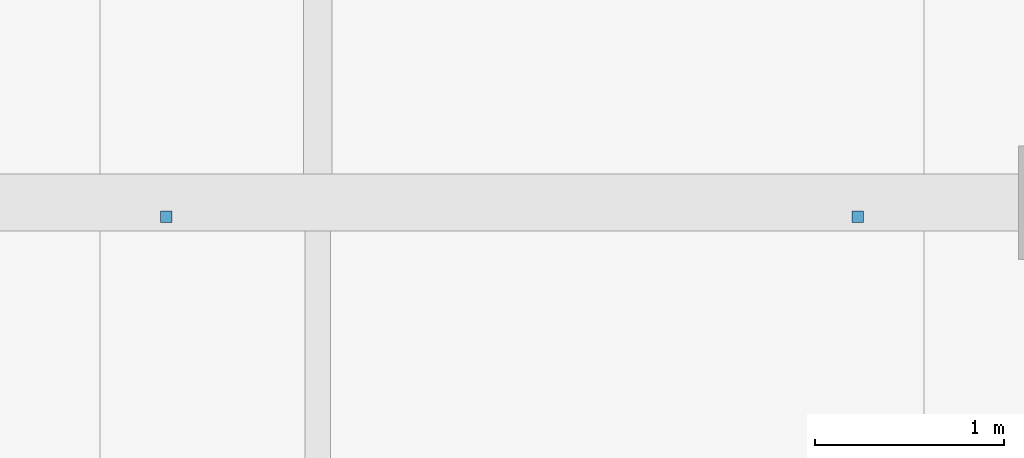
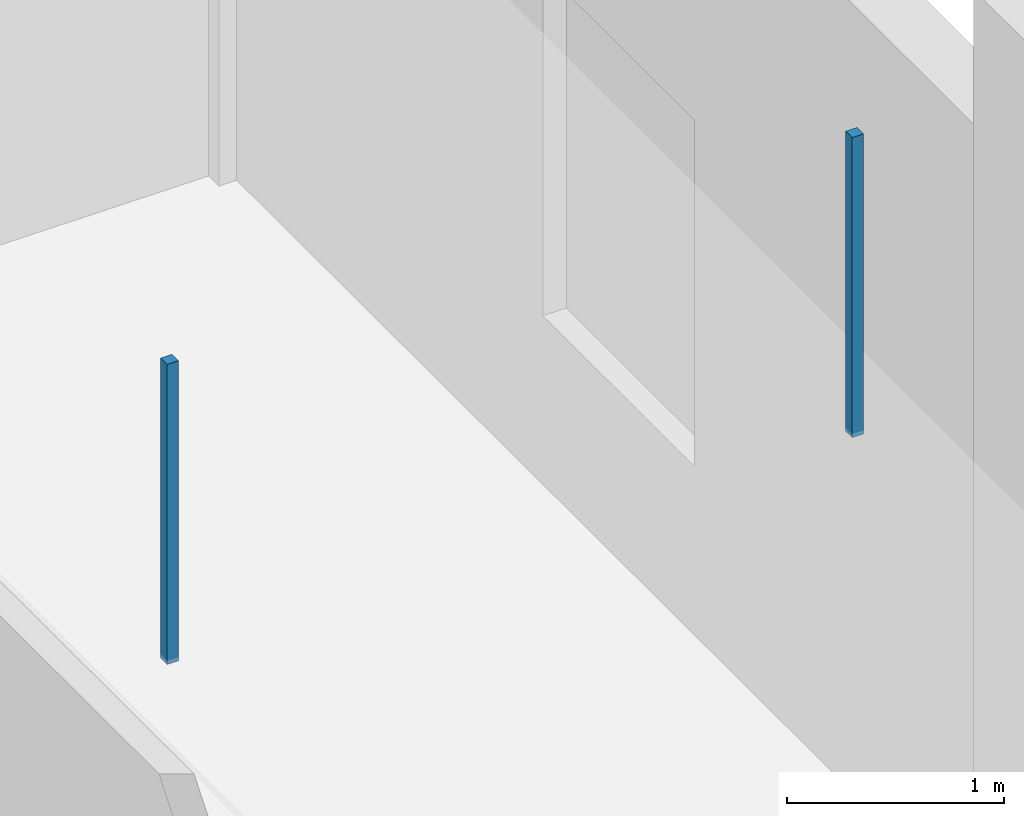
# One storey, part 90 of 126: 2 discrete accessories.
"""IFC4 building model written with IfcOpenShell, lengths in metres."""

from ifc_helpers import new_model, si_unit, direction, frame, origin, origin_2d, place, context, subcontext, project, spatial, rectangle, extrude, material, type_object, element, save


model = new_model("IFC4")

# Units and contexts
model_context = context("Model", 3, precision=1e-05, world=origin(), true_north=direction((0.0, 1.0)))
body_context = subcontext(model_context, "Body", "Model", "MODEL_VIEW")
ifc_project = project(units=[si_unit("LENGTHUNIT", "METRE"), si_unit("AREAUNIT", "SQUARE_METRE"), si_unit("VOLUMEUNIT", "CUBIC_METRE"), si_unit("PLANEANGLEUNIT", "RADIAN"), si_unit("MASSUNIT", "GRAM", prefix="KILO")], contexts=[model_context])

# Site, building, storey
site_placement = place(None, origin())
site = spatial("IfcSite", under=ifc_project, at=site_placement, CompositionType="ELEMENT")
building_placement = place(site_placement, origin())
building = spatial("IfcBuilding", under=site, at=building_placement, Name="Khelvaren Railside Concert Hall", CompositionType="ELEMENT")
storey_placement = place(building_placement, origin())
storey = spatial("IfcBuildingStorey", under=building, at=storey_placement, Name="L00", CompositionType="ELEMENT", Elevation=0.0)

# Discrete accessories
ifc_material = material(Name="Galvanised steel acoustic ceiling hanger rod", Category="steel")
discrete_accessory_type = type_object("IfcDiscreteAccessoryType", Name="BRK62", PredefinedType="BRACKET", material=ifc_material)
for number, where, z_axis, x_axis, name in (
    (1, (43.199951171875, 106.324951171875, 3.429931640625), (0.0, 0.0, 1.0), (1.0, 0.0, 0.0), "Acoustic Ceiling Suspension Bracket 102-1"),
    (2, (46.85009765625, 106.324951171875, 3.429931640625), (0.0, 0.0, 1.0), (1.0, 0.0, 0.0), "Acoustic Ceiling Suspension Bracket 102-2"),
):
    element("IfcDiscreteAccessory", number, at=place(storey_placement, frame(where, z_axis=z_axis, x_axis=x_axis)), inside=storey, type_object=discrete_accessory_type, Name=name, PredefinedType="BRACKET", context=body_context, shape_type="SweptSolid", body=[
        extrude(rectangle(XDim=0.06005859375, YDim=0.06005859375, at=origin_2d()), origin(), (0.0, 0.0, 1.0), 1.68994140625),
    ])

save(model, "model.ifc")
